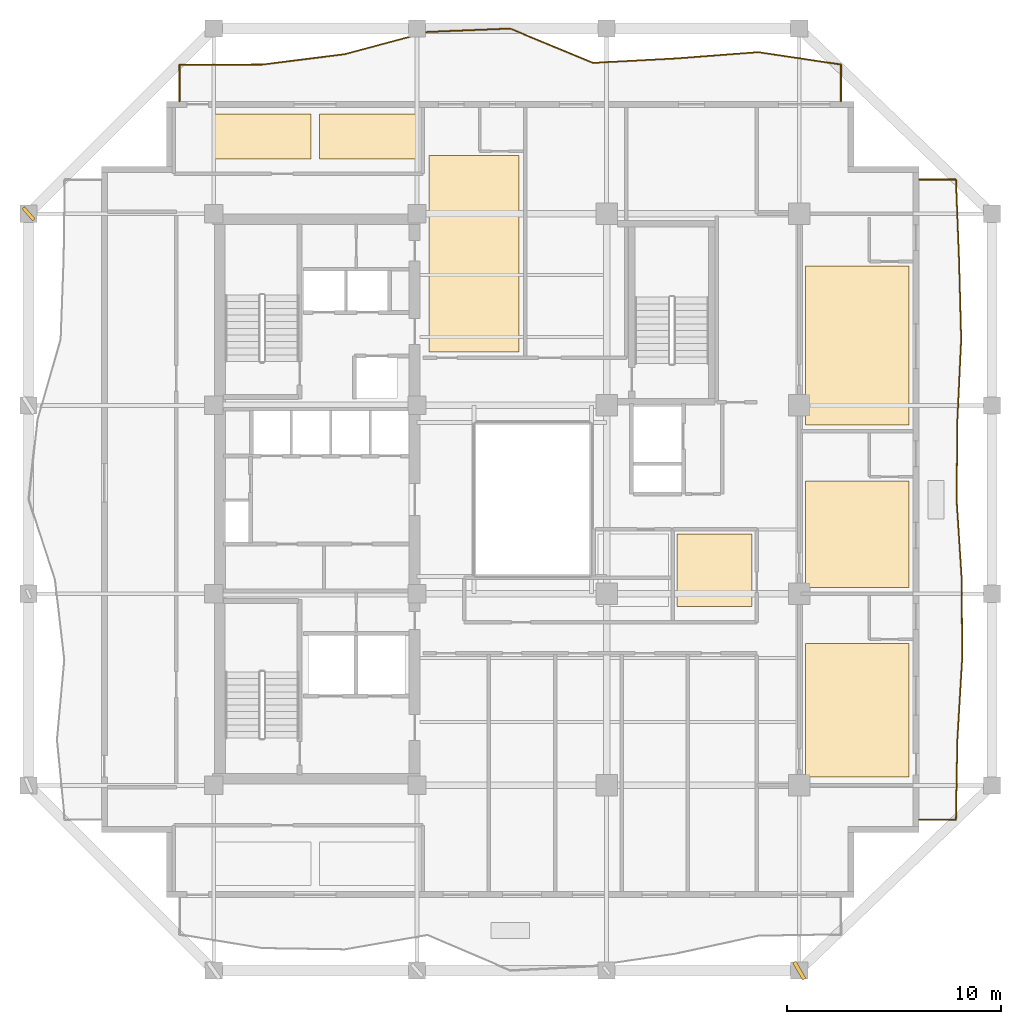
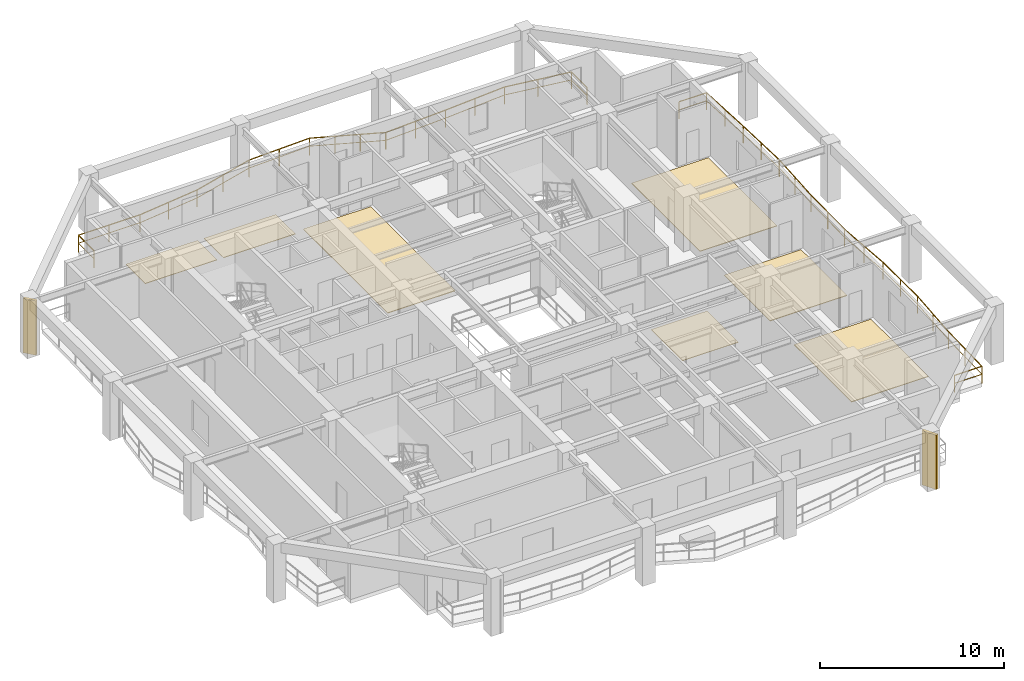
# One storey, part 10 of 11: 7 coverings, 2 railings, 2 shading devices.
"""IFC4 building model written with IfcOpenShell, lengths in metres."""

from ifc_helpers import new_model, si_unit, direction, frame, origin, origin_2d, place, context, subcontext, project, spatial, polyline, rectangle, outline, extrude, material, layer, layer_set, type_object, element, save


model = new_model("IFC4")

# Units and contexts
model_context = context("Model", 3, precision=1e-05, world=origin(), true_north=direction((0.0, 1.0)))
body_context = subcontext(model_context, "Body", "Model", "MODEL_VIEW")
ifc_project = project(units=[si_unit("LENGTHUNIT", "METRE"), si_unit("AREAUNIT", "SQUARE_METRE"), si_unit("VOLUMEUNIT", "CUBIC_METRE"), si_unit("PLANEANGLEUNIT", "RADIAN"), si_unit("MASSUNIT", "GRAM", prefix="KILO")], contexts=[model_context])

# Site, building, storey
site_placement = place(None, origin())
site = spatial("IfcSite", under=ifc_project, at=site_placement, CompositionType="ELEMENT")
building_placement = place(site_placement, origin())
building = spatial("IfcBuilding", under=site, at=building_placement, Name="Kundavana Baori Tower", CompositionType="ELEMENT")
storey_placement = place(building_placement, frame((0.0, 0.0, 142.5)))
storey = spatial("IfcBuildingStorey", under=building, at=storey_placement, Name="L34", CompositionType="ELEMENT", Elevation=142.5)

# Coverings
ifc_material_1 = material(Name="Honed Kota Stone and Terrazzo Flooring", Category="masonry")
ifc_layer_1 = layer(ifc_material_1, 0.0400390625, Name="COV-FLR-TERR-40")
ifc_layer_set_1 = layer_set([ifc_layer_1], Name="Honed Kota Stone and Terrazzo Flooring")
covering_type_1 = type_object("IfcCoveringType", Name="COV-FLR-TERR-40", PredefinedType="FLOORING", material=ifc_layer_set_1)
covering_1_placement = place(storey_placement, origin())
element("IfcCovering", 1, at=covering_1_placement, inside=storey, type_object=covering_type_1, Name="L34 Room Finished Stone Flooring 1", PredefinedType="FLOORING", context=body_context, shape_type="SweptSolid", body=[
    extrude(outline(polyline([(43.10009765625, 15.6298828125), (47.919921875, 15.6298828125), (47.919921875, 21.8701171875), (43.10009765625, 21.8701171875), (43.10009765625, 15.6298828125)])), origin(), (0.0, 0.0, 1.0), 0.0400390625),
])
covering_2_placement = place(storey_placement, origin())
element("IfcCovering", 2, at=covering_2_placement, inside=storey, type_object=covering_type_1, Name="L34 Room Finished Stone Flooring 2", PredefinedType="FLOORING", context=body_context, shape_type="SweptSolid", body=[
    extrude(outline(polyline([(43.10009765625, 24.47998046875), (47.919921875, 24.47998046875), (47.919921875, 29.469970703125), (43.10009765625, 29.469970703125), (43.10009765625, 24.47998046875)])), origin(), (0.0, 0.0, 1.0), 0.0400390625),
])
covering_3_placement = place(storey_placement, origin())
element("IfcCovering", 3, at=covering_3_placement, inside=storey, type_object=covering_type_1, Name="L34 Room Finished Stone Flooring 3", PredefinedType="FLOORING", context=body_context, shape_type="SweptSolid", body=[
    extrude(outline(polyline([(43.10009765625, 32.080078125), (47.919921875, 32.080078125), (47.919921875, 39.52001953125), (43.10009765625, 39.52001953125), (43.10009765625, 32.080078125)])), origin(), (0.0, 0.0, 1.0), 0.0400390625),
])
covering_4_placement = place(storey_placement, origin())
element("IfcCovering", 4, at=covering_4_placement, inside=storey, type_object=covering_type_1, Name="L34 Room Finished Stone Flooring 4", PredefinedType="FLOORING", context=body_context, shape_type="SweptSolid", body=[
    extrude(outline(polyline([(25.5, 35.5), (29.719970703125, 35.5), (29.719970703125, 44.669921875), (25.5, 44.669921875), (25.5, 35.5)])), origin(), (0.0, 0.0, 1.0), 0.0400390625),
])
ifc_material_2 = material(Name="Honed Kota Stone and Terrazzo Flooring", Category="masonry")
ifc_layer_2 = layer(ifc_material_2, 0.030029296875, Name="COV-INT-FLR")
ifc_layer_set_2 = layer_set([ifc_layer_2], Name="Honed Kota Stone and Terrazzo Flooring")
covering_type_2 = type_object("IfcCoveringType", Name="COV-INT-FLR", PredefinedType="FLOORING", material=ifc_layer_set_2)
covering_5_placement = place(storey_placement, origin())
element("IfcCovering", 5, at=covering_5_placement, inside=storey, type_object=covering_type_2, Name="L34 Room Finished Stone Flooring 7", PredefinedType="FLOORING", context=body_context, shape_type="SweptSolid", body=[
    extrude(outline(polyline([(15.5, 44.5), (20.0, 44.5), (20.0, 46.6201171875), (15.5, 46.6201171875), (15.5, 44.5)])), origin(), (0.0, 0.0, 1.0), 0.030029296875),
])
covering_6_placement = place(storey_placement, origin())
element("IfcCovering", 6, at=covering_6_placement, inside=storey, type_object=covering_type_2, Name="L34 Room Finished Stone Flooring 8", PredefinedType="FLOORING", context=body_context, shape_type="SweptSolid", body=[
    extrude(outline(polyline([(20.39990234375, 44.5), (24.89990234375, 44.5), (24.89990234375, 46.6201171875), (20.39990234375, 46.6201171875), (20.39990234375, 44.5)])), origin(), (0.0, 0.0, 1.0), 0.030029296875),
])
covering_7_placement = place(storey_placement, origin())
element("IfcCovering", 7, at=covering_7_placement, inside=storey, type_object=covering_type_2, Name="L34 Room Finished Stone Flooring 10", PredefinedType="FLOORING", context=body_context, shape_type="SweptSolid", body=[
    extrude(outline(polyline([(37.10009765625, 23.60009765625), (40.60009765625, 23.60009765625), (40.60009765625, 27.0), (37.10009765625, 27.0), (37.10009765625, 23.60009765625)])), origin(), (0.0, 0.0, 1.0), 0.030029296875),
])

# Railings
ifc_material_3 = material(Name="Architectural Patinated Bronze Metalwork")
railing_type = type_object("IfcRailingType", Name="RL-BAL-1150", PredefinedType="BALUSTRADE", material=ifc_material_3)
railing_1_placement = place(storey_placement, frame((48.39990234375, 43.550048828125, 0.0)))
element("IfcRailing", 8, at=railing_1_placement, inside=storey, type_object=railing_type, Name="L34 Loggia Balcony Balustrade E", PredefinedType="BALUSTRADE", context=body_context, shape_type="SweptSolid", body=[
    extrude(rectangle(XDim=0.048095703125, YDim=0.048095703125, at=origin_2d()), frame((0.0, 0.0, 1.1259765625), z_axis=(1.0, 0.0, 0.0), x_axis=(0.0, 1.0, 0.0)), (0.0, 0.0, 1.0), 1.72021484375),
    extrude(rectangle(XDim=0.03125, YDim=0.03125, at=origin_2d()), frame((0.0, 0.0, 0.597900390625), z_axis=(1.0, 0.0, 0.0), x_axis=(0.0, 1.0, 0.0)), (0.0, 0.0, 1.0), 1.72021484375),
    extrude(rectangle(XDim=0.048095703125, YDim=0.048095703125, at=origin_2d()), frame((1.72021484375, 0.0, 1.1259765625), z_axis=(0.039287781211, -0.999227937083, 0.0), x_axis=(0.999227937083, 0.039287781211, 0.0)), (0.0, 0.0, 1.0), 3.740966796875),
    extrude(rectangle(XDim=0.03125, YDim=0.03125, at=origin_2d()), frame((1.72021484375, 0.0, 0.597900390625), z_axis=(0.039287781211, -0.999227937083, 0.0), x_axis=(0.999227937083, 0.039287781211, 0.0)), (0.0, 0.0, 1.0), 3.740966796875),
    extrude(rectangle(XDim=0.048095703125, YDim=0.048095703125, at=origin_2d()), frame((1.8671875, -3.738037109375, 1.1259765625), z_axis=(0.026971304239, -0.999636208202, 0.0), x_axis=(0.999636208202, 0.026971304239, 0.0)), (0.0, 0.0, 1.0), 3.738525390625),
    extrude(rectangle(XDim=0.03125, YDim=0.03125, at=origin_2d()), frame((1.8671875, -3.738037109375, 0.597900390625), z_axis=(0.026971304239, -0.999636208202, 0.0), x_axis=(0.999636208202, 0.026971304239, 0.0)), (0.0, 0.0, 1.0), 3.738525390625),
    extrude(rectangle(XDim=0.048095703125, YDim=0.048095703125, at=origin_2d()), frame((1.968017578125, -7.47509765625, 1.1259765625), z_axis=(-0.04755895027, -0.998868432903, 0.0), x_axis=(0.998868432903, -0.04755895027, 0.0)), (0.0, 0.0, 1.0), 3.7421875),
    extrude(rectangle(XDim=0.03125, YDim=0.03125, at=origin_2d()), frame((1.968017578125, -7.47509765625, 0.597900390625), z_axis=(-0.04755895027, -0.998868432903, 0.0), x_axis=(0.998868432903, -0.04755895027, 0.0)), (0.0, 0.0, 1.0), 3.7421875),
    extrude(rectangle(XDim=0.048095703125, YDim=0.048095703125, at=origin_2d()), frame((1.7900390625, -11.213134765625, 1.1259765625), z_axis=(-0.010126228466, -0.999948728434, 0.0), x_axis=(0.999948728434, -0.010126228466, 0.0)), (0.0, 0.0, 1.0), 3.737060546875),
    extrude(rectangle(XDim=0.03125, YDim=0.03125, at=origin_2d()), frame((1.7900390625, -11.213134765625, 0.597900390625), z_axis=(-0.010126228466, -0.999948728434, 0.0), x_axis=(0.999948728434, -0.010126228466, 0.0)), (0.0, 0.0, 1.0), 3.737060546875),
    extrude(rectangle(XDim=0.048095703125, YDim=0.048095703125, at=origin_2d()), frame((1.752197265625, -14.949951171875, 1.1259765625), z_axis=(0.064329933496, -0.997928684655, 0.0), x_axis=(0.997928684655, 0.064329933496, 0.0)), (0.0, 0.0, 1.0), 3.745849609375),
    extrude(rectangle(XDim=0.03125, YDim=0.03125, at=origin_2d()), frame((1.752197265625, -14.949951171875, 0.597900390625), z_axis=(0.064329933496, -0.997928684655, 0.0), x_axis=(0.997928684655, 0.064329933496, 0.0)), (0.0, 0.0, 1.0), 3.745849609375),
    extrude(rectangle(XDim=0.048095703125, YDim=0.048095703125, at=origin_2d()), frame((1.9931640625, -18.68798828125, 1.1259765625), z_axis=(0.004769005675, -0.999988628228, 0.0), x_axis=(0.999988628228, 0.004769005675, 0.0)), (0.0, 0.0, 1.0), 3.737060546875),
    extrude(rectangle(XDim=0.03125, YDim=0.03125, at=origin_2d()), frame((1.9931640625, -18.68798828125, 0.597900390625), z_axis=(0.004769005675, -0.999988628228, 0.0), x_axis=(0.999988628228, 0.004769005675, 0.0)), (0.0, 0.0, 1.0), 3.737060546875),
    extrude(rectangle(XDim=0.048095703125, YDim=0.048095703125, at=origin_2d()), frame((2.010986328125, -22.425048828125, 1.1259765625), z_axis=(-0.059264728093, -0.99824230125, 0.0), x_axis=(0.99824230125, -0.059264728093, 0.0)), (0.0, 0.0, 1.0), 3.74462890625),
    extrude(rectangle(XDim=0.03125, YDim=0.03125, at=origin_2d()), frame((2.010986328125, -22.425048828125, 0.597900390625), z_axis=(-0.059264728093, -0.99824230125, 0.0), x_axis=(0.99824230125, -0.059264728093, 0.0)), (0.0, 0.0, 1.0), 3.74462890625),
    extrude(rectangle(XDim=0.048095703125, YDim=0.048095703125, at=origin_2d()), frame((1.7890625, -26.1630859375, 1.1259765625), z_axis=(-0.018419818129, -0.999830340758, 0.0), x_axis=(0.999830340758, -0.018419818129, 0.0)), (0.0, 0.0, 1.0), 3.73779296875),
    extrude(rectangle(XDim=0.03125, YDim=0.03125, at=origin_2d()), frame((1.7890625, -26.1630859375, 0.597900390625), z_axis=(-0.018419818129, -0.999830340758, 0.0), x_axis=(0.999830340758, -0.018419818129, 0.0)), (0.0, 0.0, 1.0), 3.73779296875),
    extrude(rectangle(XDim=0.048095703125, YDim=0.048095703125, at=origin_2d()), frame((1.72021484375, -29.900146484375, 1.1259765625), z_axis=(-1.0, 0.0, 0.0), x_axis=(0.0, -1.0, 0.0)), (0.0, 0.0, 1.0), 1.72021484375),
    extrude(rectangle(XDim=0.03125, YDim=0.03125, at=origin_2d()), frame((1.72021484375, -29.900146484375, 0.597900390625), z_axis=(-1.0, 0.0, 0.0), x_axis=(0.0, -1.0, 0.0)), (0.0, 0.0, 1.0), 1.72021484375),
    extrude(rectangle(XDim=0.0419921875, YDim=0.0419921875, at=origin_2d()), origin(), (0.0, 0.0, 1.0), 1.101806640625),
    extrude(rectangle(XDim=0.0419921875, YDim=0.0419921875, at=origin_2d()), frame((1.72021484375, 0.0, 0.0)), (0.0, 0.0, 1.0), 1.101806640625),
    extrude(rectangle(XDim=0.0419921875, YDim=0.0419921875, at=origin_2d()), frame((1.793701171875, -1.869140625, 0.0)), (0.0, 0.0, 1.0), 1.101806640625),
    extrude(rectangle(XDim=0.0419921875, YDim=0.0419921875, at=origin_2d()), frame((1.8671875, -3.738037109375, 0.0)), (0.0, 0.0, 1.0), 1.101806640625),
    extrude(rectangle(XDim=0.0419921875, YDim=0.0419921875, at=origin_2d()), frame((1.91748046875, -5.6064453125, 0.0)), (0.0, 0.0, 1.0), 1.101806640625),
    extrude(rectangle(XDim=0.0419921875, YDim=0.0419921875, at=origin_2d()), frame((1.968017578125, -7.47509765625, 0.0)), (0.0, 0.0, 1.0), 1.101806640625),
    extrude(rectangle(XDim=0.0419921875, YDim=0.0419921875, at=origin_2d()), frame((1.87890625, -9.34423828125, 0.0)), (0.0, 0.0, 1.0), 1.101806640625),
    extrude(rectangle(XDim=0.0419921875, YDim=0.0419921875, at=origin_2d()), frame((1.7900390625, -11.213134765625, 0.0)), (0.0, 0.0, 1.0), 1.101806640625),
    extrude(rectangle(XDim=0.0419921875, YDim=0.0419921875, at=origin_2d()), frame((1.77099609375, -13.08154296875, 0.0)), (0.0, 0.0, 1.0), 1.101806640625),
    extrude(rectangle(XDim=0.0419921875, YDim=0.0419921875, at=origin_2d()), frame((1.752197265625, -14.949951171875, 0.0)), (0.0, 0.0, 1.0), 1.101806640625),
    extrude(rectangle(XDim=0.0419921875, YDim=0.0419921875, at=origin_2d()), frame((1.87255859375, -16.81884765625, 0.0)), (0.0, 0.0, 1.0), 1.101806640625),
    extrude(rectangle(XDim=0.0419921875, YDim=0.0419921875, at=origin_2d()), frame((1.9931640625, -18.68798828125, 0.0)), (0.0, 0.0, 1.0), 1.101806640625),
    extrude(rectangle(XDim=0.0419921875, YDim=0.0419921875, at=origin_2d()), frame((2.001953125, -20.556640625, 0.0)), (0.0, 0.0, 1.0), 1.101806640625),
    extrude(rectangle(XDim=0.0419921875, YDim=0.0419921875, at=origin_2d()), frame((2.010986328125, -22.425048828125, 0.0)), (0.0, 0.0, 1.0), 1.101806640625),
    extrude(rectangle(XDim=0.0419921875, YDim=0.0419921875, at=origin_2d()), frame((1.89990234375, -24.2939453125, 0.0)), (0.0, 0.0, 1.0), 1.101806640625),
    extrude(rectangle(XDim=0.0419921875, YDim=0.0419921875, at=origin_2d()), frame((1.7890625, -26.1630859375, 0.0)), (0.0, 0.0, 1.0), 1.101806640625),
    extrude(rectangle(XDim=0.0419921875, YDim=0.0419921875, at=origin_2d()), frame((1.754638671875, -28.03173828125, 0.0)), (0.0, 0.0, 1.0), 1.101806640625),
    extrude(rectangle(XDim=0.0419921875, YDim=0.0419921875, at=origin_2d()), frame((1.72021484375, -29.900146484375, 0.0)), (0.0, 0.0, 1.0), 1.101806640625),
    extrude(rectangle(XDim=0.0419921875, YDim=0.0419921875, at=origin_2d()), frame((0.0, -29.900146484375, 0.0)), (0.0, 0.0, 1.0), 1.101806640625),
])
railing_2_placement = place(storey_placement, frame((13.85009765625, 47.199951171875, 0.0)))
element("IfcRailing", 9, at=railing_2_placement, inside=storey, type_object=railing_type, Name="L34 Loggia Balcony Balustrade N", PredefinedType="BALUSTRADE", context=body_context, shape_type="SweptSolid", body=[
    extrude(rectangle(XDim=0.048095703125, YDim=0.048095703125, at=origin_2d()), frame((0.0, 0.0, 1.1259765625), z_axis=(0.0, 1.0, 0.0), x_axis=(-1.0, 0.0, 0.0)), (0.0, 0.0, 1.0), 1.719970703125),
    extrude(rectangle(XDim=0.03125, YDim=0.03125, at=origin_2d()), frame((0.0, 0.0, 0.597900390625), z_axis=(0.0, 1.0, 0.0), x_axis=(-1.0, 0.0, 0.0)), (0.0, 0.0, 1.0), 1.719970703125),
    extrude(rectangle(XDim=0.048095703125, YDim=0.048095703125, at=origin_2d()), frame((0.0, 1.719970703125, 1.1259765625), z_axis=(0.999999968027, 0.000252876462, 0.0), x_axis=(-0.000252876462, 0.999999968027, 0.0)), (0.0, 0.0, 1.0), 3.86181640625),
    extrude(rectangle(XDim=0.03125, YDim=0.03125, at=origin_2d()), frame((0.0, 1.719970703125, 0.597900390625), z_axis=(0.999999968027, 0.000252876462, 0.0), x_axis=(-0.000252876462, 0.999999968027, 0.0)), (0.0, 0.0, 1.0), 3.86181640625),
    extrude(rectangle(XDim=0.048095703125, YDim=0.048095703125, at=origin_2d()), frame((3.86181640625, 1.720947265625, 1.1259765625), z_axis=(0.992207292382, 0.124598109711, 0.0), x_axis=(-0.124598109711, 0.992207292382, 0.0)), (0.0, 0.0, 1.0), 3.893310546875),
    extrude(rectangle(XDim=0.03125, YDim=0.03125, at=origin_2d()), frame((3.86181640625, 1.720947265625, 0.597900390625), z_axis=(0.992207292382, 0.124598109711, 0.0), x_axis=(-0.124598109711, 0.992207292382, 0.0)), (0.0, 0.0, 1.0), 3.893310546875),
    extrude(rectangle(XDim=0.048095703125, YDim=0.048095703125, at=origin_2d()), frame((7.724853515625, 2.2060546875, 1.1259765625), z_axis=(0.965799975681, 0.25928827003, 0.0), x_axis=(-0.25928827003, 0.965799975681, 0.0)), (0.0, 0.0, 1.0), 3.999755859375),
    extrude(rectangle(XDim=0.03125, YDim=0.03125, at=origin_2d()), frame((7.724853515625, 2.2060546875, 0.597900390625), z_axis=(0.965799975681, 0.25928827003, 0.0), x_axis=(-0.25928827003, 0.965799975681, 0.0)), (0.0, 0.0, 1.0), 3.999755859375),
    extrude(rectangle(XDim=0.048095703125, YDim=0.048095703125, at=origin_2d()), frame((11.587890625, 3.2431640625, 1.1259765625), z_axis=(0.999174919833, 0.04061378554, 0.0), x_axis=(-0.04061378554, 0.999174919833, 0.0)), (0.0, 0.0, 1.0), 3.865234375),
    extrude(rectangle(XDim=0.03125, YDim=0.03125, at=origin_2d()), frame((11.587890625, 3.2431640625, 0.597900390625), z_axis=(0.999174919833, 0.04061378554, 0.0), x_axis=(-0.04061378554, 0.999174919833, 0.0)), (0.0, 0.0, 1.0), 3.865234375),
    extrude(rectangle(XDim=0.048095703125, YDim=0.048095703125, at=origin_2d()), frame((15.449951171875, 3.400146484375, 1.1259765625), z_axis=(0.923799034499, -0.382877713976, 0.0), x_axis=(0.382877713976, 0.923799034499, 0.0)), (0.0, 0.0, 1.0), 4.181640625),
    extrude(rectangle(XDim=0.03125, YDim=0.03125, at=origin_2d()), frame((15.449951171875, 3.400146484375, 0.597900390625), z_axis=(0.923799034499, -0.382877713976, 0.0), x_axis=(0.382877713976, 0.923799034499, 0.0)), (0.0, 0.0, 1.0), 4.181640625),
    extrude(rectangle(XDim=0.048095703125, YDim=0.048095703125, at=origin_2d()), frame((19.31298828125, 1.799072265625, 1.1259765625), z_axis=(0.998566084129, 0.053532939647, 0.0), x_axis=(-0.053532939647, 0.998566084129, 0.0)), (0.0, 0.0, 1.0), 3.867431640625),
    extrude(rectangle(XDim=0.03125, YDim=0.03125, at=origin_2d()), frame((19.31298828125, 1.799072265625, 0.597900390625), z_axis=(0.998566084129, 0.053532939647, 0.0), x_axis=(-0.053532939647, 0.998566084129, 0.0)), (0.0, 0.0, 1.0), 3.867431640625),
    extrude(rectangle(XDim=0.048095703125, YDim=0.048095703125, at=origin_2d()), frame((23.1748046875, 2.006103515625, 1.1259765625), z_axis=(0.997116081029, 0.075891507779, 0.0), x_axis=(-0.075891507779, 0.997116081029, 0.0)), (0.0, 0.0, 1.0), 3.873291015625),
    extrude(rectangle(XDim=0.03125, YDim=0.03125, at=origin_2d()), frame((23.1748046875, 2.006103515625, 0.597900390625), z_axis=(0.997116081029, 0.075891507779, 0.0), x_axis=(-0.075891507779, 0.997116081029, 0.0)), (0.0, 0.0, 1.0), 3.873291015625),
    extrude(rectangle(XDim=0.048095703125, YDim=0.048095703125, at=origin_2d()), frame((27.036865234375, 2.300048828125, 1.1259765625), z_axis=(0.98891296097, -0.148496315191, 0.0), x_axis=(0.148496315191, 0.98891296097, 0.0)), (0.0, 0.0, 1.0), 3.90625),
    extrude(rectangle(XDim=0.03125, YDim=0.03125, at=origin_2d()), frame((27.036865234375, 2.300048828125, 0.597900390625), z_axis=(0.98891296097, -0.148496315191, 0.0), x_axis=(0.148496315191, 0.98891296097, 0.0)), (0.0, 0.0, 1.0), 3.90625),
    extrude(rectangle(XDim=0.048095703125, YDim=0.048095703125, at=origin_2d()), frame((30.89990234375, 1.719970703125, 1.1259765625), z_axis=(0.0, -1.0, 0.0), x_axis=(1.0, 0.0, 0.0)), (0.0, 0.0, 1.0), 1.719970703125),
    extrude(rectangle(XDim=0.03125, YDim=0.03125, at=origin_2d()), frame((30.89990234375, 1.719970703125, 0.597900390625), z_axis=(0.0, -1.0, 0.0), x_axis=(1.0, 0.0, 0.0)), (0.0, 0.0, 1.0), 1.719970703125),
    extrude(rectangle(XDim=0.0419921875, YDim=0.0419921875, at=origin_2d()), origin(), (0.0, 0.0, 1.0), 1.101806640625),
    extrude(rectangle(XDim=0.0419921875, YDim=0.0419921875, at=origin_2d()), frame((0.0, 1.719970703125, 0.0)), (0.0, 0.0, 1.0), 1.101806640625),
    extrude(rectangle(XDim=0.0419921875, YDim=0.0419921875, at=origin_2d()), frame((1.930908203125, 1.720458984375, 0.0)), (0.0, 0.0, 1.0), 1.101806640625),
    extrude(rectangle(XDim=0.0419921875, YDim=0.0419921875, at=origin_2d()), frame((3.86181640625, 1.720947265625, 0.0)), (0.0, 0.0, 1.0), 1.101806640625),
    extrude(rectangle(XDim=0.0419921875, YDim=0.0419921875, at=origin_2d()), frame((5.79345703125, 1.96337890625, 0.0)), (0.0, 0.0, 1.0), 1.101806640625),
    extrude(rectangle(XDim=0.0419921875, YDim=0.0419921875, at=origin_2d()), frame((7.724853515625, 2.2060546875, 0.0)), (0.0, 0.0, 1.0), 1.101806640625),
    extrude(rectangle(XDim=0.0419921875, YDim=0.0419921875, at=origin_2d()), frame((9.65625, 2.724609375, 0.0)), (0.0, 0.0, 1.0), 1.101806640625),
    extrude(rectangle(XDim=0.0419921875, YDim=0.0419921875, at=origin_2d()), frame((11.587890625, 3.2431640625, 0.0)), (0.0, 0.0, 1.0), 1.101806640625),
    extrude(rectangle(XDim=0.0419921875, YDim=0.0419921875, at=origin_2d()), frame((13.51904296875, 3.32177734375, 0.0)), (0.0, 0.0, 1.0), 1.101806640625),
    extrude(rectangle(XDim=0.0419921875, YDim=0.0419921875, at=origin_2d()), frame((15.449951171875, 3.400146484375, 0.0)), (0.0, 0.0, 1.0), 1.101806640625),
    extrude(rectangle(XDim=0.0419921875, YDim=0.0419921875, at=origin_2d()), frame((16.737548828125, 2.866455078125, 0.0)), (0.0, 0.0, 1.0), 1.101806640625),
    extrude(rectangle(XDim=0.0419921875, YDim=0.0419921875, at=origin_2d()), frame((18.025390625, 2.332763671875, 0.0)), (0.0, 0.0, 1.0), 1.101806640625),
    extrude(rectangle(XDim=0.0419921875, YDim=0.0419921875, at=origin_2d()), frame((19.31298828125, 1.799072265625, 0.0)), (0.0, 0.0, 1.0), 1.101806640625),
    extrude(rectangle(XDim=0.0419921875, YDim=0.0419921875, at=origin_2d()), frame((21.243896484375, 1.902587890625, 0.0)), (0.0, 0.0, 1.0), 1.101806640625),
    extrude(rectangle(XDim=0.0419921875, YDim=0.0419921875, at=origin_2d()), frame((23.1748046875, 2.006103515625, 0.0)), (0.0, 0.0, 1.0), 1.101806640625),
    extrude(rectangle(XDim=0.0419921875, YDim=0.0419921875, at=origin_2d()), frame((25.10595703125, 2.153076171875, 0.0)), (0.0, 0.0, 1.0), 1.101806640625),
    extrude(rectangle(XDim=0.0419921875, YDim=0.0419921875, at=origin_2d()), frame((27.036865234375, 2.300048828125, 0.0)), (0.0, 0.0, 1.0), 1.101806640625),
    extrude(rectangle(XDim=0.0419921875, YDim=0.0419921875, at=origin_2d()), frame((28.96826171875, 2.010009765625, 0.0)), (0.0, 0.0, 1.0), 1.101806640625),
    extrude(rectangle(XDim=0.0419921875, YDim=0.0419921875, at=origin_2d()), frame((30.89990234375, 1.719970703125, 0.0)), (0.0, 0.0, 1.0), 1.101806640625),
    extrude(rectangle(XDim=0.0419921875, YDim=0.0419921875, at=origin_2d()), frame((30.89990234375, 0.0, 0.0)), (0.0, 0.0, 1.0), 1.101806640625),
])

# Shading devices
ifc_material_4 = material(Name="Red-Buff Dholpur Sandstone Cladding on Concrete C40/50", Category="masonry")
shading_device_type_1 = type_object("IfcShadingDeviceType", Name="SHD-FIN-750", PredefinedType="JALOUSIE", material=ifc_material_4)
shading_device_1_placement = place(storey_placement, frame((6.800048828125, 41.949951171875, 0.0), z_axis=(0.0, 0.0, 1.0), x_axis=(0.758361915289, 0.651833725301, 0.0)))
element("IfcShadingDevice", 10, at=shading_device_1_placement, inside=storey, type_object=shading_device_type_1, Name="L34 Sweeping Dholpur Sandstone Facade Fin 8", PredefinedType="JALOUSIE", context=body_context, shape_type="SweptSolid", body=[
    extrude(rectangle(XDim=0.159912109375, YDim=0.75, at=origin_2d()), origin(), (0.0, 0.0, 1.0), 3.60009765625),
])
ifc_material_5 = material(Name="Red-Buff Dholpur Sandstone Cladding on Concrete C40/50", Category="masonry")
shading_device_type_2 = type_object("IfcShadingDeviceType", Name="SHD-FIN-920", PredefinedType="JALOUSIE", material=ifc_material_5)
shading_device_2_placement = place(storey_placement, frame((42.800048828125, 6.60009765625, 0.0), z_axis=(0.0, 0.0, 1.0), x_axis=(0.865238937528, 0.501359732114, 0.0)))
element("IfcShadingDevice", 11, at=shading_device_2_placement, inside=storey, type_object=shading_device_type_2, Name="L34 Sweeping Dholpur Sandstone Facade Fin 4", PredefinedType="JALOUSIE", context=body_context, shape_type="SweptSolid", body=[
    extrude(rectangle(XDim=0.179931640625, YDim=0.919921875, at=origin_2d()), origin(), (0.0, 0.0, 1.0), 3.60009765625),
])

save(model, "model.ifc")
